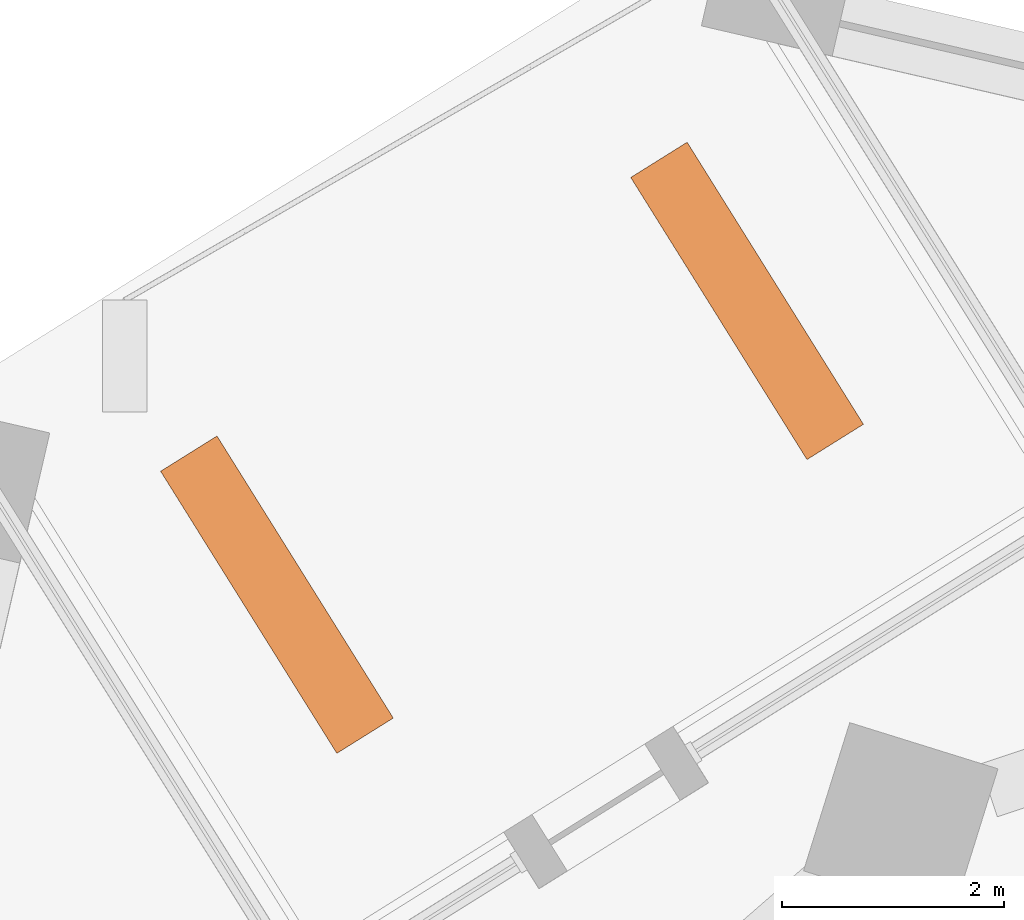
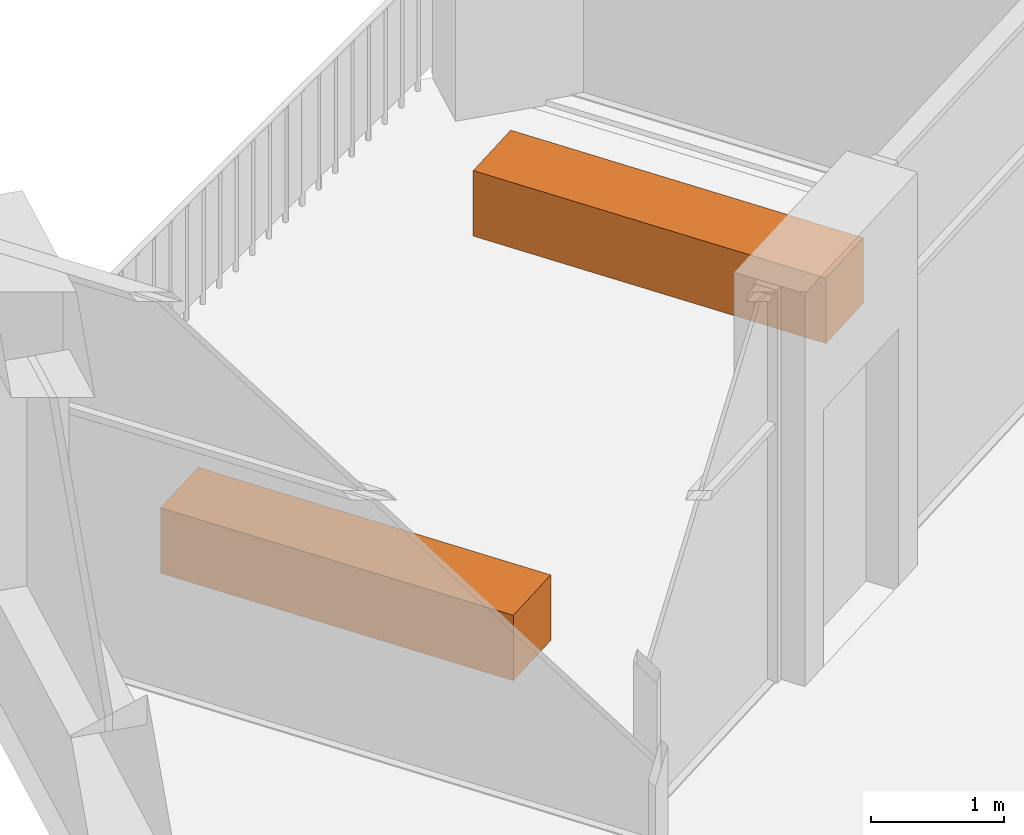
# One storey, part 14 of 14: 2 proxies.
"""IFC4 building model written with IfcOpenShell, lengths in metres."""

from ifc_helpers import new_model, si_unit, direction, frame, origin, origin_2d, place, context, subcontext, project, spatial, rectangle, extrude, element, save


model = new_model("IFC4")

# Units and contexts
model_context = context("Model", 3, precision=1e-05, world=origin(), true_north=direction((0.0, 1.0)))
body_context = subcontext(model_context, "Body", "Model", "MODEL_VIEW")
ifc_project = project(units=[si_unit("LENGTHUNIT", "METRE"), si_unit("AREAUNIT", "SQUARE_METRE"), si_unit("VOLUMEUNIT", "CUBIC_METRE"), si_unit("PLANEANGLEUNIT", "RADIAN"), si_unit("MASSUNIT", "GRAM", prefix="KILO")], contexts=[model_context])

# Site, building, storey
site_placement = place(None, origin())
site = spatial("IfcSite", under=ifc_project, at=site_placement, CompositionType="ELEMENT")
building_placement = place(site_placement, origin())
building = spatial("IfcBuilding", under=site, at=building_placement, Name="Dilmun Exchange Tower", CompositionType="ELEMENT")
storey_placement = place(building_placement, frame((0.0, 0.0, 340.5)))
storey = spatial("IfcBuildingStorey", under=building, at=storey_placement, Name="L81", CompositionType="ELEMENT", Elevation=340.5)

# Proxies
for number, where, z_axis, x_axis, name in (
    (1, (-13.923095703125, 31.002197265625, 0.0), (0.0, 0.0, 1.0), (-0.529919264233, 0.848048096156, 0.0), "PLANTER Desert shrub L81.1"),
    (2, (-18.163330078125, 28.352783203125, 0.0), (0.0, 0.0, 1.0), (-0.529919264233, 0.848048096156, 0.0), "PLANTER Desert shrub L81.2"),
):
    element("IfcBuildingElementProxy", number, at=place(storey_placement, frame(where, z_axis=z_axis, x_axis=x_axis)), inside=storey, Name=name, ObjectType="PLANTER", PredefinedType="USERDEFINED", context=body_context, shape_type="SweptSolid", body=[
        extrude(rectangle(XDim=3.0, YDim=0.60009765625, at=origin_2d()), origin(), (0.0, 0.0, 1.0), 0.60009765625),
    ])

save(model, "model.ifc")
